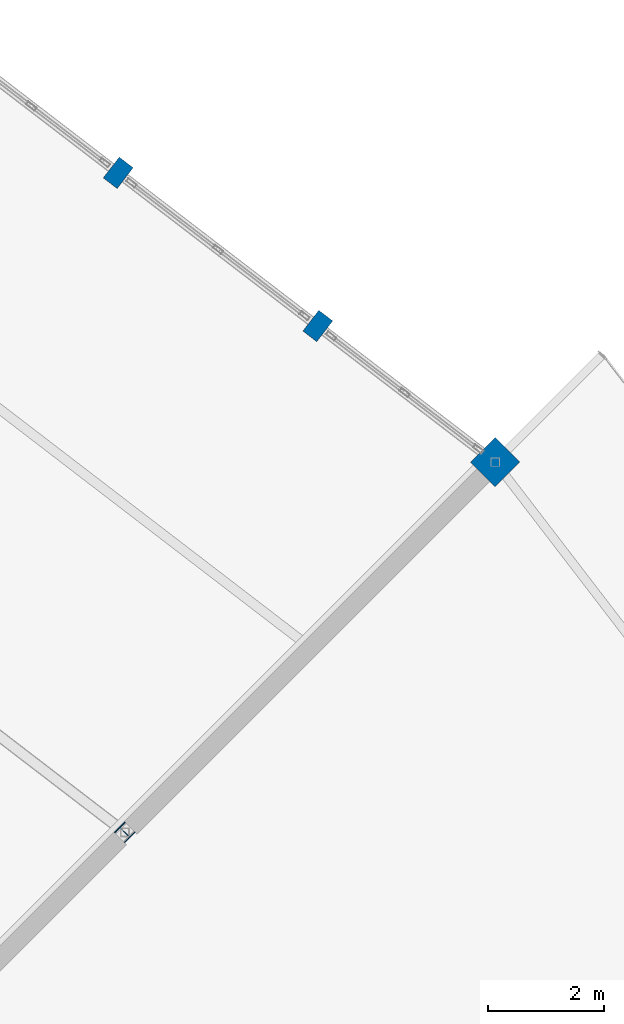
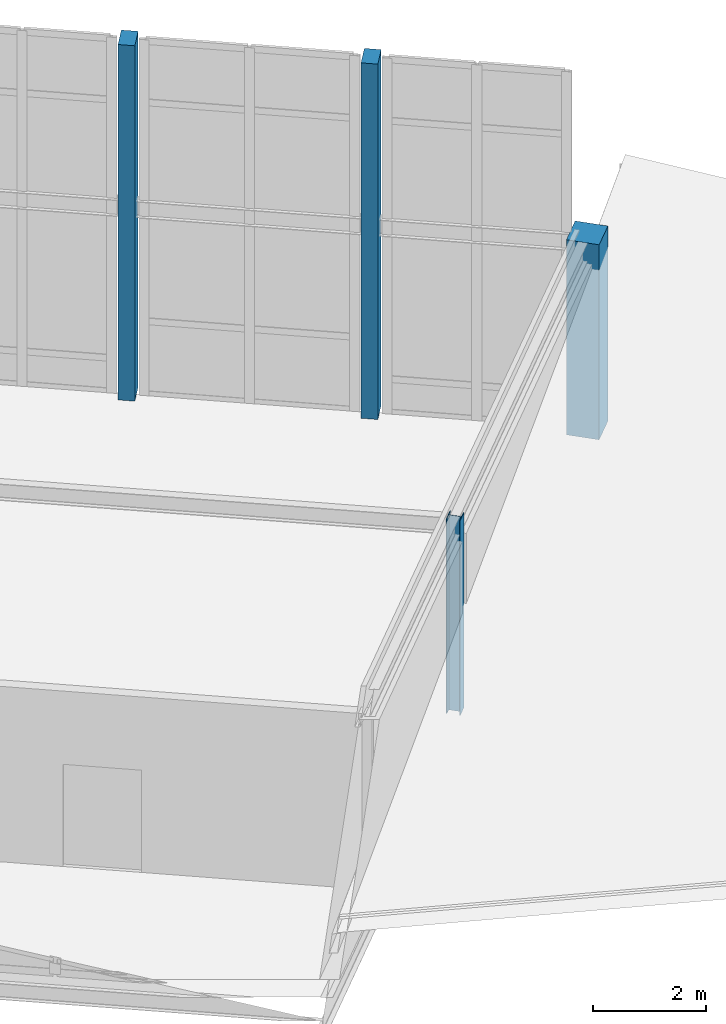
# One storey, part 13 of 200: 4 columns.
"""IFC4 building model written with IfcOpenShell, lengths in metres."""

from ifc_helpers import new_model, si_unit, direction, frame, origin, origin_2d, place, context, subcontext, project, spatial, rectangle, i_section, extrude, material, material_profile, profile_set, type_object, element, save


model = new_model("IFC4")

# Units and contexts
model_context = context("Model", 3, precision=1e-05, world=origin(), true_north=direction((0.0, 1.0)))
body_context = subcontext(model_context, "Body", "Model", "MODEL_VIEW")
ifc_project = project(units=[si_unit("LENGTHUNIT", "METRE"), si_unit("AREAUNIT", "SQUARE_METRE"), si_unit("VOLUMEUNIT", "CUBIC_METRE"), si_unit("PLANEANGLEUNIT", "RADIAN"), si_unit("MASSUNIT", "GRAM", prefix="KILO")], contexts=[model_context])

# Site, building, storey
site_placement = place(None, origin())
site = spatial("IfcSite", under=ifc_project, at=site_placement, CompositionType="ELEMENT")
building_placement = place(site_placement, origin())
building = spatial("IfcBuilding", under=site, at=building_placement, Name="Vondelvale Polytechnic", CompositionType="ELEMENT")
storey_placement = place(building_placement, frame((0.0, 0.0, 13.800048828125)))
storey = spatial("IfcBuildingStorey", under=building, at=storey_placement, Name="L03", CompositionType="ELEMENT", Elevation=13.800048828125)

# Columns
ifc_material_1 = material(Name="Glulam GL18 structural Tasmanian oak (fb = 42 MPa)", Category="wood")
ifc_material_profile_1 = material_profile(ifc_material_1, rectangle(XDim=0.300048828125, YDim=0.449951171875, at=origin_2d()), Name="GL-POST-300x450")
ifc_profile_set_1 = profile_set([ifc_material_profile_1], Name="Glulam GL18 structural Tasmanian oak (fb = 42 MPa)")
column_type_1 = type_object("IfcColumnType", Name="COL-GLULAM-300x450", PredefinedType="PILASTER", material=ifc_profile_set_1)
for number, where, z_axis, x_axis, name in (
    (1, (131.478271484375, 106.8662109375, 0.0), (0.0, 0.0, 1.0), (-0.793353340291, 0.608761429009, 0.0), "L03 ring outer glulam timber post C03-P1"),
    (2, (128.048583984375, 109.497802734375, 0.0), (0.0, 0.0, 1.0), (-0.793353340291, 0.608761429009, 0.0), "L03 ring outer glulam timber post C03-P2"),
):
    element("IfcColumn", number, at=place(storey_placement, frame(where, z_axis=z_axis, x_axis=x_axis)), inside=storey, type_object=column_type_1, Name=name, PredefinedType="PILASTER", context=body_context, shape_type="SweptSolid", body=[
        extrude(rectangle(XDim=0.300048828125, YDim=0.449951171875, at=origin_2d()), origin(), (0.0, 0.0, 1.0), 7.6513671875),
    ])
ifc_material_2 = material(Name="Concrete N50 (f'c = 50 MPa)", Category="concrete")
ifc_material_profile_2 = material_profile(ifc_material_2, rectangle(XDim=0.60009765625, YDim=0.60009765625, at=origin_2d()), Name="RC-COL-600x600")
ifc_profile_set_2 = profile_set([ifc_material_profile_2], Name="Concrete N50 (f'c = 50 MPa)")
column_type_2 = type_object("IfcColumnType", Name="COL-RC600", PredefinedType="COLUMN", material=ifc_profile_set_2)
column_1_placement = place(storey_placement, frame((134.52685546875, 104.52685546875, 0.0), z_axis=(0.0, 0.0, 1.0), x_axis=(0.707106781187, 0.707106781187, 0.0)))
element("IfcColumn", 3, at=column_1_placement, inside=storey, type_object=column_type_2, Name="L03 courtyard ring column S03-RO", PredefinedType="COLUMN", context=body_context, shape_type="SweptSolid", body=[
    extrude(rectangle(XDim=0.60009765625, YDim=0.60009765625, at=origin_2d()), origin(), (0.0, 0.0, 1.0), 4.199951171875),
])
ifc_material_3 = material(Name="Steel 300PLUS (fy = 300 MPa)", Category="steel")
ifc_material_profile_3 = material_profile(ifc_material_3, i_section(OverallWidth=0.25390625, OverallDepth=0.25390625, WebThickness=0.008544921875, FlangeThickness=0.01416015625, FilletRadius=0.013916015625, at=origin_2d()), Name="250UC72.9")
ifc_profile_set_3 = profile_set([ifc_material_profile_3], Name="Steel 300PLUS (fy = 300 MPa)")
column_type_3 = type_object("IfcColumnType", Name="COL-UC250L", PredefinedType="COLUMN", material=ifc_profile_set_3)
column_2_placement = place(storey_placement, frame((128.1630859375, 98.1630859375, 0.0), z_axis=(0.0, 0.0, 1.0), x_axis=(0.707106781187, 0.707106781187, 0.0)))
element("IfcColumn", 4, at=column_2_placement, inside=storey, type_object=column_type_3, Name="L03 courtyard ring column S03-RM", PredefinedType="COLUMN", context=body_context, shape_type="SweptSolid", body=[
    extrude(i_section(OverallWidth=0.25390625, OverallDepth=0.25390625, WebThickness=0.008544921875, FlangeThickness=0.01416015625, FilletRadius=0.013916015625, at=origin_2d()), origin(), (0.0, 0.0, 1.0), 4.199951171875),
])

save(model, "model.ifc")
